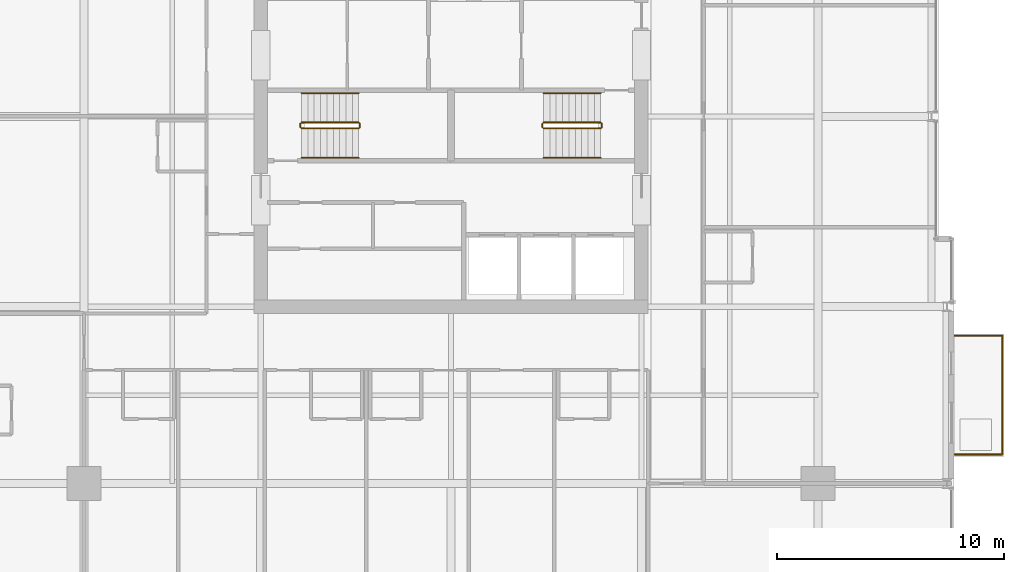
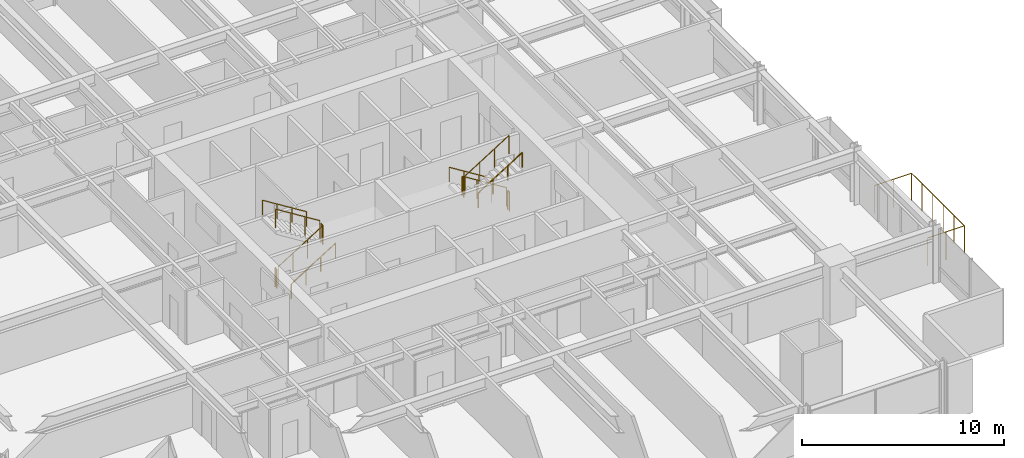
# One storey, part 33 of 34: 13 railings.
"""IFC4 building model written with IfcOpenShell, lengths in metres."""

from ifc_helpers import new_model, si_unit, direction, frame, origin, origin_2d, place, context, subcontext, project, spatial, circle, extrude, material, type_object, element, save


model = new_model("IFC4")

# Units and contexts
model_context = context("Model", 3, precision=1e-05, world=origin(), true_north=direction((0.0, 1.0)))
body_context = subcontext(model_context, "Body", "Model", "MODEL_VIEW")
ifc_project = project(units=[si_unit("LENGTHUNIT", "METRE"), si_unit("AREAUNIT", "SQUARE_METRE"), si_unit("VOLUMEUNIT", "CUBIC_METRE"), si_unit("PLANEANGLEUNIT", "RADIAN"), si_unit("MASSUNIT", "GRAM", prefix="KILO")], contexts=[model_context])

# Site, building, storey
site_placement = place(None, origin())
site = spatial("IfcSite", under=ifc_project, at=site_placement, CompositionType="ELEMENT")
building_placement = place(site_placement, origin())
building = spatial("IfcBuilding", under=site, at=building_placement, Name="Drelvath Grand Hotel", CompositionType="ELEMENT")
storey_placement = place(building_placement, frame((0.0, 0.0, 133.800048828125)))
storey = spatial("IfcBuildingStorey", under=building, at=storey_placement, Name="L34", CompositionType="ELEMENT", Elevation=133.800048828125)

# Railings
ifc_material_1 = material(Name="Painted Steel S275", Category="steel")
railing_type_1 = type_object("IfcRailingType", Name="Core Stair Wall Handrail 900", PredefinedType="HANDRAIL", material=ifc_material_1)
railing_1_placement = place(storey_placement, frame((-6.60009765625, 25.169921875, 0.175048828125)))
element("IfcRailing", 1, at=railing_1_placement, inside=storey, type_object=railing_type_1, Name="L34 ST-1 stair handrail 1", PredefinedType="HANDRAIL", context=body_context, shape_type="SweptSolid", body=[
    extrude(circle(Radius=0.02392578125, at=origin_2d()), frame((0.0, 0.0, 0.8759765625), z_axis=(0.848007534815, 0.0, 0.529984170421), x_axis=(0.0, 1.0, 0.0)), (0.0, 0.0, 1.0), 2.9716796875),
    extrude(circle(Radius=0.02099609375, at=origin_2d()), origin(), (0.0, 0.0, 1.0), 0.851806640625),
    extrude(circle(Radius=0.02099609375, at=origin_2d()), frame((0.840087890625, 0.0, 0.52490234375)), (0.0, 0.0, 1.0), 0.851806640625),
    extrude(circle(Radius=0.02099609375, at=origin_2d()), frame((1.679931640625, 0.0, 1.050048828125)), (0.0, 0.0, 1.0), 0.851806640625),
    extrude(circle(Radius=0.02099609375, at=origin_2d()), frame((2.52001953125, 0.0, 1.574951171875)), (0.0, 0.0, 1.0), 0.851806640625),
])
for number, where, name in (
    (2, (-4.080078125, 28.030029296875, 1.925048828125), "L34 ST-1 stair handrail 2"),
    (3, (6.60009765625, 28.030029296875, 0.175048828125), "L34 ST-2 stair handrail 1"),
):
    element("IfcRailing", number, at=place(storey_placement, frame(where)), inside=storey, type_object=railing_type_1, Name=name, PredefinedType="HANDRAIL", context=body_context, shape_type="SweptSolid", body=[
        extrude(circle(Radius=0.02392578125, at=origin_2d()), frame((0.0, 0.0, 0.8759765625), z_axis=(-0.848007534815, 0.0, 0.529984170421), x_axis=(0.0, -1.0, 0.0)), (0.0, 0.0, 1.0), 2.9716796875),
        extrude(circle(Radius=0.02099609375, at=origin_2d()), origin(), (0.0, 0.0, 1.0), 0.851806640625),
        extrude(circle(Radius=0.02099609375, at=origin_2d()), frame((-0.840087890625, 0.0, 0.52490234375)), (0.0, 0.0, 1.0), 0.851806640625),
        extrude(circle(Radius=0.02099609375, at=origin_2d()), frame((-1.679931640625, 0.0, 1.050048828125)), (0.0, 0.0, 1.0), 0.851806640625),
        extrude(circle(Radius=0.02099609375, at=origin_2d()), frame((-2.52001953125, 0.0, 1.574951171875)), (0.0, 0.0, 1.0), 0.851806640625),
    ])
railing_2_placement = place(storey_placement, frame((4.080078125, 25.169921875, 1.925048828125)))
element("IfcRailing", 4, at=railing_2_placement, inside=storey, type_object=railing_type_1, Name="L34 ST-2 stair handrail 2", PredefinedType="HANDRAIL", context=body_context, shape_type="SweptSolid", body=[
    extrude(circle(Radius=0.02392578125, at=origin_2d()), frame((0.0, 0.0, 0.8759765625), z_axis=(0.848007534815, 0.0, 0.529984170421), x_axis=(0.0, 1.0, 0.0)), (0.0, 0.0, 1.0), 2.9716796875),
    extrude(circle(Radius=0.02099609375, at=origin_2d()), origin(), (0.0, 0.0, 1.0), 0.851806640625),
    extrude(circle(Radius=0.02099609375, at=origin_2d()), frame((0.840087890625, 0.0, 0.52490234375)), (0.0, 0.0, 1.0), 0.851806640625),
    extrude(circle(Radius=0.02099609375, at=origin_2d()), frame((1.679931640625, 0.0, 1.050048828125)), (0.0, 0.0, 1.0), 0.851806640625),
    extrude(circle(Radius=0.02099609375, at=origin_2d()), frame((2.52001953125, 0.0, 1.574951171875)), (0.0, 0.0, 1.0), 0.851806640625),
])
railing_type_2 = type_object("IfcRailingType", Name="Core Stair Well Guardrail 1100", PredefinedType="GUARDRAIL", material=ifc_material_1)
railing_3_placement = place(storey_placement, frame((-6.60009765625, 26.469970703125, 0.175048828125)))
element("IfcRailing", 5, at=railing_3_placement, inside=storey, type_object=railing_type_2, Name="L34 ST-1 stair guard 1", PredefinedType="GUARDRAIL", context=body_context, shape_type="SweptSolid", body=[
    extrude(circle(Radius=0.02392578125, at=origin_2d()), frame((0.0, 0.0, 1.1259765625), z_axis=(0.848007534815, 0.0, 0.529984170421), x_axis=(0.0, 1.0, 0.0)), (0.0, 0.0, 1.0), 2.9716796875),
    extrude(circle(Radius=0.02099609375, at=origin_2d()), origin(), (0.0, 0.0, 1.0), 1.101806640625),
    extrude(circle(Radius=0.02099609375, at=origin_2d()), frame((0.840087890625, 0.0, 0.52490234375)), (0.0, 0.0, 1.0), 1.101806640625),
    extrude(circle(Radius=0.02099609375, at=origin_2d()), frame((1.679931640625, 0.0, 1.050048828125)), (0.0, 0.0, 1.0), 1.101806640625),
    extrude(circle(Radius=0.02099609375, at=origin_2d()), frame((2.52001953125, 0.0, 1.574951171875)), (0.0, 0.0, 1.0), 1.101806640625),
])
railing_4_placement = place(storey_placement, frame((-4.030029296875, 26.52001953125, 1.75)))
element("IfcRailing", 6, at=railing_4_placement, inside=storey, type_object=railing_type_2, Name="L34 ST-1 stair guard 2", PredefinedType="GUARDRAIL", context=body_context, shape_type="SweptSolid", body=[
    extrude(circle(Radius=0.02392578125, at=origin_2d()), frame((0.0, 0.0, 1.1259765625), z_axis=(0.0, 1.0, 0.0), x_axis=(-1.0, 0.0, 0.0)), (0.0, 0.0, 1.0), 0.159912109375),
    extrude(circle(Radius=0.02099609375, at=origin_2d()), origin(), (0.0, 0.0, 1.0), 1.101806640625),
    extrude(circle(Radius=0.02099609375, at=origin_2d()), frame((0.0, 0.159912109375, 0.0)), (0.0, 0.0, 1.0), 1.101806640625),
])
railing_5_placement = place(storey_placement, frame((-4.080078125, 26.72998046875, 1.925048828125)))
element("IfcRailing", 7, at=railing_5_placement, inside=storey, type_object=railing_type_2, Name="L34 ST-1 stair guard 3", PredefinedType="GUARDRAIL", context=body_context, shape_type="SweptSolid", body=[
    extrude(circle(Radius=0.02392578125, at=origin_2d()), frame((0.0, 0.0, 1.1259765625), z_axis=(-0.848007534815, 0.0, 0.529984170421), x_axis=(0.0, -1.0, 0.0)), (0.0, 0.0, 1.0), 2.9716796875),
    extrude(circle(Radius=0.02099609375, at=origin_2d()), origin(), (0.0, 0.0, 1.0), 1.101806640625),
    extrude(circle(Radius=0.02099609375, at=origin_2d()), frame((-0.840087890625, 0.0, 0.52490234375)), (0.0, 0.0, 1.0), 1.101806640625),
    extrude(circle(Radius=0.02099609375, at=origin_2d()), frame((-1.679931640625, 0.0, 1.050048828125)), (0.0, 0.0, 1.0), 1.101806640625),
    extrude(circle(Radius=0.02099609375, at=origin_2d()), frame((-2.52001953125, 0.0, 1.574951171875)), (0.0, 0.0, 1.0), 1.101806640625),
])
railing_6_placement = place(storey_placement, frame((-6.64990234375, 26.52001953125, 0.0)))
element("IfcRailing", 8, at=railing_6_placement, inside=storey, type_object=railing_type_2, Name="L34 ST-1 stair guard 4", PredefinedType="GUARDRAIL", context=body_context, shape_type="SweptSolid", body=[
    extrude(circle(Radius=0.02392578125, at=origin_2d()), frame((0.0, 0.0, 1.1259765625), z_axis=(0.0, 1.0, 0.0), x_axis=(-1.0, 0.0, 0.0)), (0.0, 0.0, 1.0), 0.159912109375),
    extrude(circle(Radius=0.02099609375, at=origin_2d()), origin(), (0.0, 0.0, 1.0), 1.101806640625),
    extrude(circle(Radius=0.02099609375, at=origin_2d()), frame((0.0, 0.159912109375, 0.0)), (0.0, 0.0, 1.0), 1.101806640625),
])
railing_7_placement = place(storey_placement, frame((6.60009765625, 26.72998046875, 0.175048828125)))
element("IfcRailing", 9, at=railing_7_placement, inside=storey, type_object=railing_type_2, Name="L34 ST-2 stair guard 1", PredefinedType="GUARDRAIL", context=body_context, shape_type="SweptSolid", body=[
    extrude(circle(Radius=0.02392578125, at=origin_2d()), frame((0.0, 0.0, 1.1259765625), z_axis=(-0.848007534815, 0.0, 0.529984170421), x_axis=(0.0, -1.0, 0.0)), (0.0, 0.0, 1.0), 2.9716796875),
    extrude(circle(Radius=0.02099609375, at=origin_2d()), origin(), (0.0, 0.0, 1.0), 1.101806640625),
    extrude(circle(Radius=0.02099609375, at=origin_2d()), frame((-0.840087890625, 0.0, 0.52490234375)), (0.0, 0.0, 1.0), 1.101806640625),
    extrude(circle(Radius=0.02099609375, at=origin_2d()), frame((-1.679931640625, 0.0, 1.050048828125)), (0.0, 0.0, 1.0), 1.101806640625),
    extrude(circle(Radius=0.02099609375, at=origin_2d()), frame((-2.52001953125, 0.0, 1.574951171875)), (0.0, 0.0, 1.0), 1.101806640625),
])
railing_8_placement = place(storey_placement, frame((4.030029296875, 26.679931640625, 1.75)))
element("IfcRailing", 10, at=railing_8_placement, inside=storey, type_object=railing_type_2, Name="L34 ST-2 stair guard 2", PredefinedType="GUARDRAIL", context=body_context, shape_type="SweptSolid", body=[
    extrude(circle(Radius=0.02392578125, at=origin_2d()), frame((0.0, 0.0, 1.1259765625), z_axis=(0.0, -1.0, 0.0), x_axis=(1.0, 0.0, 0.0)), (0.0, 0.0, 1.0), 0.159912109375),
    extrude(circle(Radius=0.02099609375, at=origin_2d()), origin(), (0.0, 0.0, 1.0), 1.101806640625),
    extrude(circle(Radius=0.02099609375, at=origin_2d()), frame((0.0, -0.159912109375, 0.0)), (0.0, 0.0, 1.0), 1.101806640625),
])
railing_9_placement = place(storey_placement, frame((4.080078125, 26.469970703125, 1.925048828125)))
element("IfcRailing", 11, at=railing_9_placement, inside=storey, type_object=railing_type_2, Name="L34 ST-2 stair guard 3", PredefinedType="GUARDRAIL", context=body_context, shape_type="SweptSolid", body=[
    extrude(circle(Radius=0.02392578125, at=origin_2d()), frame((0.0, 0.0, 1.1259765625), z_axis=(0.848007534815, 0.0, 0.529984170421), x_axis=(0.0, 1.0, 0.0)), (0.0, 0.0, 1.0), 2.9716796875),
    extrude(circle(Radius=0.02099609375, at=origin_2d()), origin(), (0.0, 0.0, 1.0), 1.101806640625),
    extrude(circle(Radius=0.02099609375, at=origin_2d()), frame((0.840087890625, 0.0, 0.52490234375)), (0.0, 0.0, 1.0), 1.101806640625),
    extrude(circle(Radius=0.02099609375, at=origin_2d()), frame((1.679931640625, 0.0, 1.050048828125)), (0.0, 0.0, 1.0), 1.101806640625),
    extrude(circle(Radius=0.02099609375, at=origin_2d()), frame((2.52001953125, 0.0, 1.574951171875)), (0.0, 0.0, 1.0), 1.101806640625),
])
railing_10_placement = place(storey_placement, frame((6.64990234375, 26.679931640625, 0.0)))
element("IfcRailing", 12, at=railing_10_placement, inside=storey, type_object=railing_type_2, Name="L34 ST-2 stair guard 4", PredefinedType="GUARDRAIL", context=body_context, shape_type="SweptSolid", body=[
    extrude(circle(Radius=0.02392578125, at=origin_2d()), frame((0.0, 0.0, 1.1259765625), z_axis=(0.0, -1.0, 0.0), x_axis=(1.0, 0.0, 0.0)), (0.0, 0.0, 1.0), 0.159912109375),
    extrude(circle(Radius=0.02099609375, at=origin_2d()), origin(), (0.0, 0.0, 1.0), 1.101806640625),
    extrude(circle(Radius=0.02099609375, at=origin_2d()), frame((0.0, -0.159912109375, 0.0)), (0.0, 0.0, 1.0), 1.101806640625),
])
ifc_material_2 = material(Name="Anodised Aluminium and Laminated Glass Balustrade", Category="aluminium")
railing_type_3 = type_object("IfcRailingType", Name="Raised Planter Edge Balustrade 1700", PredefinedType="BALUSTRADE", material=ifc_material_2)
railing_11_placement = place(storey_placement, frame((22.219970703125, 12.080078125, 0.0)))
element("IfcRailing", 13, at=railing_11_placement, inside=storey, type_object=railing_type_3, Name="L34 Tree Balcony Perimeter Balustrade 1", PredefinedType="BALUSTRADE", context=body_context, shape_type="SweptSolid", body=[
    extrude(circle(Radius=0.02392578125, at=origin_2d()), frame((0.0, 0.0, 1.67578125), z_axis=(1.0, 0.0, 0.0), x_axis=(0.0, 1.0, 0.0)), (0.0, 0.0, 1.0), 2.10009765625),
    extrude(circle(Radius=0.02392578125, at=origin_2d()), frame((2.10009765625, 0.0, 1.67578125), z_axis=(0.0, 1.0, 0.0), x_axis=(-1.0, 0.0, 0.0)), (0.0, 0.0, 1.0), 5.239990234375),
    extrude(circle(Radius=0.02392578125, at=origin_2d()), frame((2.10009765625, 5.239990234375, 1.67578125), z_axis=(-1.0, 0.0, 0.0), x_axis=(0.0, -1.0, 0.0)), (0.0, 0.0, 1.0), 2.10009765625),
    extrude(circle(Radius=0.02099609375, at=origin_2d()), origin(), (0.0, 0.0, 1.0), 1.65185546875),
    extrude(circle(Radius=0.02099609375, at=origin_2d()), frame((1.050048828125, 0.0, 0.0)), (0.0, 0.0, 1.0), 1.65185546875),
    extrude(circle(Radius=0.02099609375, at=origin_2d()), frame((2.10009765625, 0.0, 0.0)), (0.0, 0.0, 1.0), 1.65185546875),
    extrude(circle(Radius=0.02099609375, at=origin_2d()), frame((2.10009765625, 1.048095703125, 0.0)), (0.0, 0.0, 1.0), 1.65185546875),
    extrude(circle(Radius=0.02099609375, at=origin_2d()), frame((2.10009765625, 2.095947265625, 0.0)), (0.0, 0.0, 1.0), 1.65185546875),
    extrude(circle(Radius=0.02099609375, at=origin_2d()), frame((2.10009765625, 3.14404296875, 0.0)), (0.0, 0.0, 1.0), 1.65185546875),
    extrude(circle(Radius=0.02099609375, at=origin_2d()), frame((2.10009765625, 4.19189453125, 0.0)), (0.0, 0.0, 1.0), 1.65185546875),
    extrude(circle(Radius=0.02099609375, at=origin_2d()), frame((2.10009765625, 5.239990234375, 0.0)), (0.0, 0.0, 1.0), 1.65185546875),
    extrude(circle(Radius=0.02099609375, at=origin_2d()), frame((1.050048828125, 5.239990234375, 0.0)), (0.0, 0.0, 1.0), 1.65185546875),
    extrude(circle(Radius=0.02099609375, at=origin_2d()), frame((0.0, 5.239990234375, 0.0)), (0.0, 0.0, 1.0), 1.65185546875),
])

save(model, "model.ifc")
